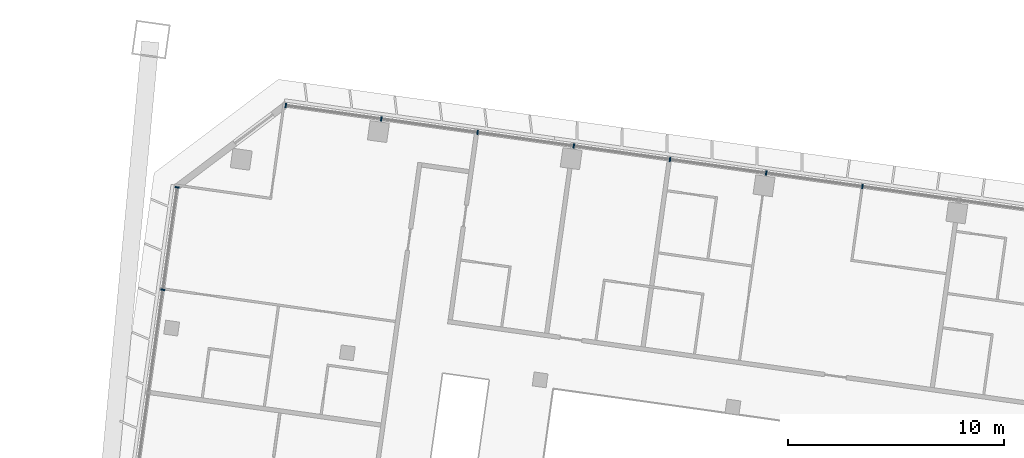
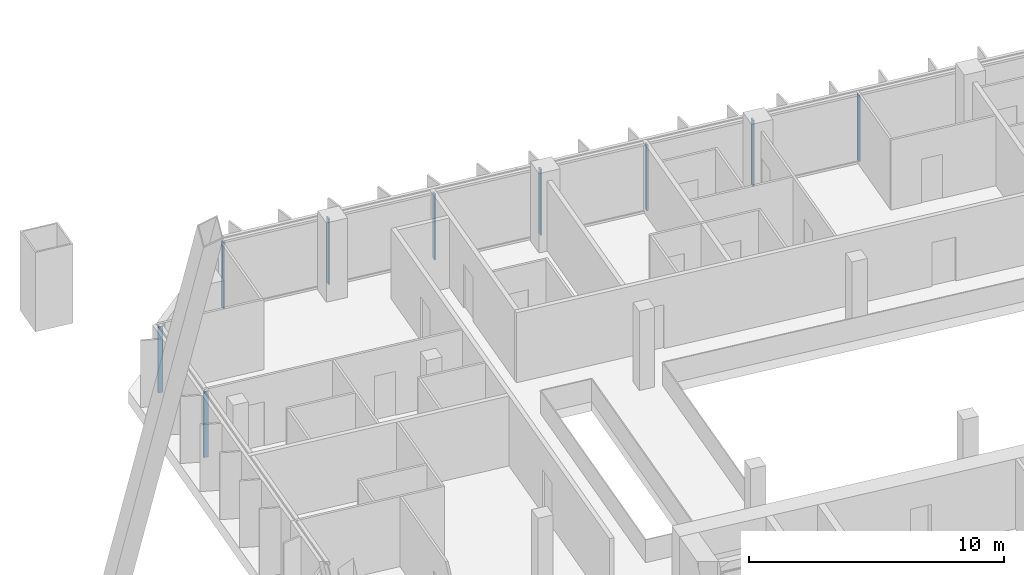
# One storey, part 6 of 33: 9 members, 2 elements without a shape of their own.
"""IFC4 building model written with IfcOpenShell, lengths in metres."""

from ifc_helpers import new_model, si_unit, direction, frame, origin, origin_2d, place, context, subcontext, project, spatial, rectangle, extrude, material, material_profile, profile_set, type_object, element, aggregate, save


model = new_model("IFC4")

# Units and contexts
model_context = context("Model", 3, precision=1e-05, world=origin(), true_north=direction((0.0, 1.0)))
body_context = subcontext(model_context, "Body", "Model", "MODEL_VIEW")
ifc_project = project(units=[si_unit("LENGTHUNIT", "METRE"), si_unit("AREAUNIT", "SQUARE_METRE"), si_unit("VOLUMEUNIT", "CUBIC_METRE"), si_unit("PLANEANGLEUNIT", "RADIAN"), si_unit("MASSUNIT", "GRAM", prefix="KILO")], contexts=[model_context])

# Site, building, storey
site_placement = place(None, origin())
site = spatial("IfcSite", under=ifc_project, at=site_placement, CompositionType="ELEMENT")
building_placement = place(site_placement, origin())
building = spatial("IfcBuilding", under=site, at=building_placement, Name="Mirante Cascada Hotel Towers", CompositionType="ELEMENT")
storey_placement = place(building_placement, frame((0.0, 0.0, 121.5)))
storey = spatial("IfcBuildingStorey", under=building, at=storey_placement, Name="L27", CompositionType="ELEMENT", Elevation=121.5)

# Curtain wall, members
ifc_material_1 = material(Name="Aluminium mullion and transom frame with clear laminated glass", Category="aluminium")
curtain_wall_type_1 = type_object("IfcCurtainWallType", Name="Ribbon curtain wall ECW1", PredefinedType="NOTDEFINED", material=ifc_material_1)
curtain_wall_1_placement = place(storey_placement, origin())
curtain_wall_1 = element("IfcCurtainWall", 1, at=curtain_wall_1_placement, inside=storey, type_object=curtain_wall_type_1, Name="Front ribbon wall T1 L27", PredefinedType="NOTDEFINED")
ifc_material_2 = material(Name="Anodised aluminium extrusion", Category="aluminium")
ifc_material_profile_1 = material_profile(ifc_material_2, rectangle(XDim=0.2, YDim=0.065, at=origin_2d()), Name="ECW1 MULLION 65x200")
ifc_profile_set_1 = profile_set([ifc_material_profile_1], Name="Anodised aluminium extrusion")
member_type_1 = type_object("IfcMemberType", Name="ECW1 mullion 65x200", PredefinedType="MULLION", material=ifc_profile_set_1)
member_1_placement = place(storey_placement, frame((-94.126, 26.0476, 0.1), z_axis=(0.0, 0.0, 1.0), x_axis=(0.1391731, 0.9902681, 0.0)))
member_1 = element("IfcMember", 2, at=member_1_placement, type_object=member_type_1, Name="ECW1 mullion 1", PredefinedType="MULLION", context=body_context, shape_type="SweptSolid", body=[
    extrude(rectangle(XDim=0.2, YDim=0.065, at=origin_2d()), origin(), (0.0, 0.0, 1.0), 3.15),
])
member_2_placement = place(storey_placement, frame((-89.7107, 25.427, 0.1), z_axis=(0.0, 0.0, 1.0), x_axis=(0.1391731, 0.9902681, 0.0)))
member_2 = element("IfcMember", 3, at=member_2_placement, type_object=member_type_1, Name="ECW1 mullion 2", PredefinedType="MULLION", context=body_context, shape_type="SweptSolid", body=[
    extrude(rectangle(XDim=0.2, YDim=0.065, at=origin_2d()), origin(), (0.0, 0.0, 1.0), 3.15),
])
member_3_placement = place(storey_placement, frame((-85.2633, 24.802, 0.1), z_axis=(0.0, 0.0, 1.0), x_axis=(0.1391731, 0.9902681, 0.0)))
member_3 = element("IfcMember", 4, at=member_3_placement, type_object=member_type_1, Name="ECW1 mullion 3", PredefinedType="MULLION", context=body_context, shape_type="SweptSolid", body=[
    extrude(rectangle(XDim=0.2, YDim=0.065, at=origin_2d()), origin(), (0.0, 0.0, 1.0), 3.15),
])
member_4_placement = place(storey_placement, frame((-80.8159, 24.177, 0.1), z_axis=(0.0, 0.0, 1.0), x_axis=(0.1391731, 0.9902681, 0.0)))
member_4 = element("IfcMember", 5, at=member_4_placement, type_object=member_type_1, Name="ECW1 mullion 4", PredefinedType="MULLION", context=body_context, shape_type="SweptSolid", body=[
    extrude(rectangle(XDim=0.2, YDim=0.065, at=origin_2d()), origin(), (0.0, 0.0, 1.0), 3.15),
])
member_5_placement = place(storey_placement, frame((-76.3685, 23.5519, 0.1), z_axis=(0.0, 0.0, 1.0), x_axis=(0.1391731, 0.9902681, 0.0)))
member_5 = element("IfcMember", 6, at=member_5_placement, type_object=member_type_1, Name="ECW1 mullion 5", PredefinedType="MULLION", context=body_context, shape_type="SweptSolid", body=[
    extrude(rectangle(XDim=0.2, YDim=0.065, at=origin_2d()), origin(), (0.0, 0.0, 1.0), 3.15),
])
member_6_placement = place(storey_placement, frame((-71.9211, 22.9269, 0.1), z_axis=(0.0, 0.0, 1.0), x_axis=(0.1391731, 0.9902681, 0.0)))
member_6 = element("IfcMember", 7, at=member_6_placement, type_object=member_type_1, Name="ECW1 mullion 6", PredefinedType="MULLION", context=body_context, shape_type="SweptSolid", body=[
    extrude(rectangle(XDim=0.2, YDim=0.065, at=origin_2d()), origin(), (0.0, 0.0, 1.0), 3.15),
])
member_7_placement = place(storey_placement, frame((-67.4737, 22.3018, 0.1), z_axis=(0.0, 0.0, 1.0), x_axis=(0.1391731, 0.9902681, 0.0)))
member_7 = element("IfcMember", 8, at=member_7_placement, type_object=member_type_1, Name="ECW1 mullion 7", PredefinedType="MULLION", context=body_context, shape_type="SweptSolid", body=[
    extrude(rectangle(XDim=0.2, YDim=0.065, at=origin_2d()), origin(), (0.0, 0.0, 1.0), 3.15),
])
aggregate(curtain_wall_1, [member_1, member_2, member_3, member_4, member_5, member_6, member_7])

ifc_material_3 = material(Name="Aluminium mullion and transom frame with clear laminated glass", Category="aluminium")
curtain_wall_type_2 = type_object("IfcCurtainWallType", Name="End ribbon curtain wall ECW2", PredefinedType="NOTDEFINED", material=ifc_material_3)
curtain_wall_2_placement = place(storey_placement, origin())
curtain_wall_2 = element("IfcCurtainWall", 9, at=curtain_wall_2_placement, inside=storey, type_object=curtain_wall_type_2, Name="Outer end wall T1 L27", PredefinedType="NOTDEFINED")
ifc_material_4 = material(Name="Anodised aluminium extrusion", Category="aluminium")
ifc_material_profile_2 = material_profile(ifc_material_4, rectangle(XDim=0.2, YDim=0.065, at=origin_2d()), Name="ECW2 MULLION 65x200")
ifc_profile_set_2 = profile_set([ifc_material_profile_2], Name="Anodised aluminium extrusion")
member_type_2 = type_object("IfcMemberType", Name="ECW2 mullion 65x200", PredefinedType="MULLION", material=ifc_profile_set_2)
member_8_placement = place(storey_placement, frame((-99.8112, 17.5312, 0.1), z_axis=(0.0, 0.0, 1.0), x_axis=(-0.9902681, 0.1391731, 0.0)))
member_8 = element("IfcMember", 10, at=member_8_placement, type_object=member_type_2, Name="ECW2 mullion 6", PredefinedType="MULLION", context=body_context, shape_type="SweptSolid", body=[
    extrude(rectangle(XDim=0.2, YDim=0.065, at=origin_2d()), origin(), (0.0, 0.0, 1.0), 3.15),
])
member_9_placement = place(storey_placement, frame((-99.1459, 22.2648, 0.1), z_axis=(0.0, 0.0, 1.0), x_axis=(-0.9902681, 0.1391731, 0.0)))
member_9 = element("IfcMember", 11, at=member_9_placement, type_object=member_type_2, Name="ECW2 mullion 7", PredefinedType="MULLION", context=body_context, shape_type="SweptSolid", body=[
    extrude(rectangle(XDim=0.2, YDim=0.065, at=origin_2d()), origin(), (0.0, 0.0, 1.0), 3.15),
])
aggregate(curtain_wall_2, [member_8, member_9])

save(model, "model.ifc")
